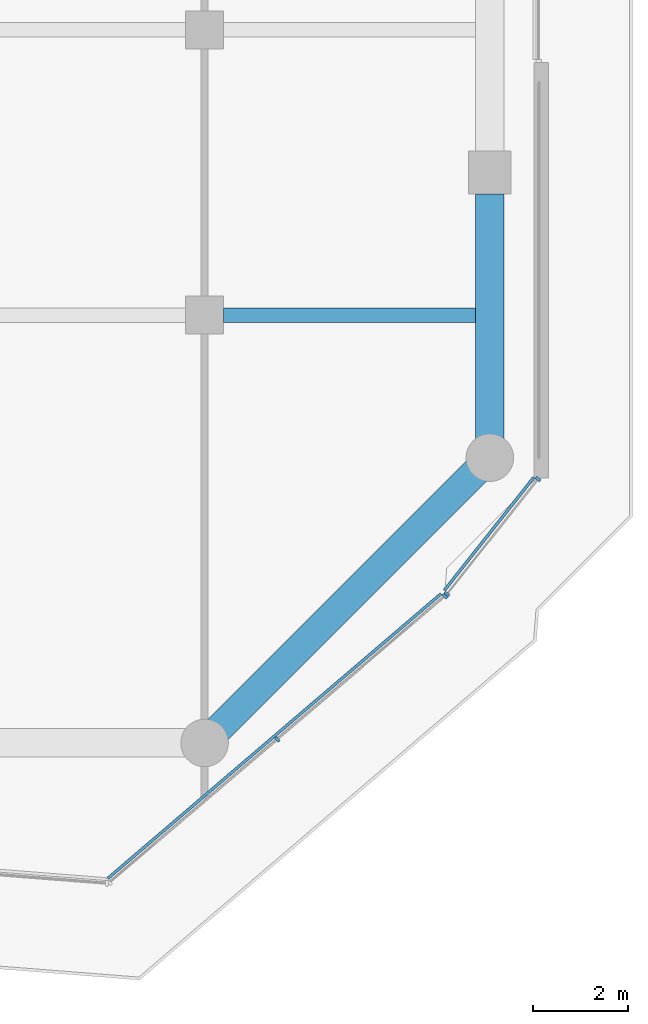
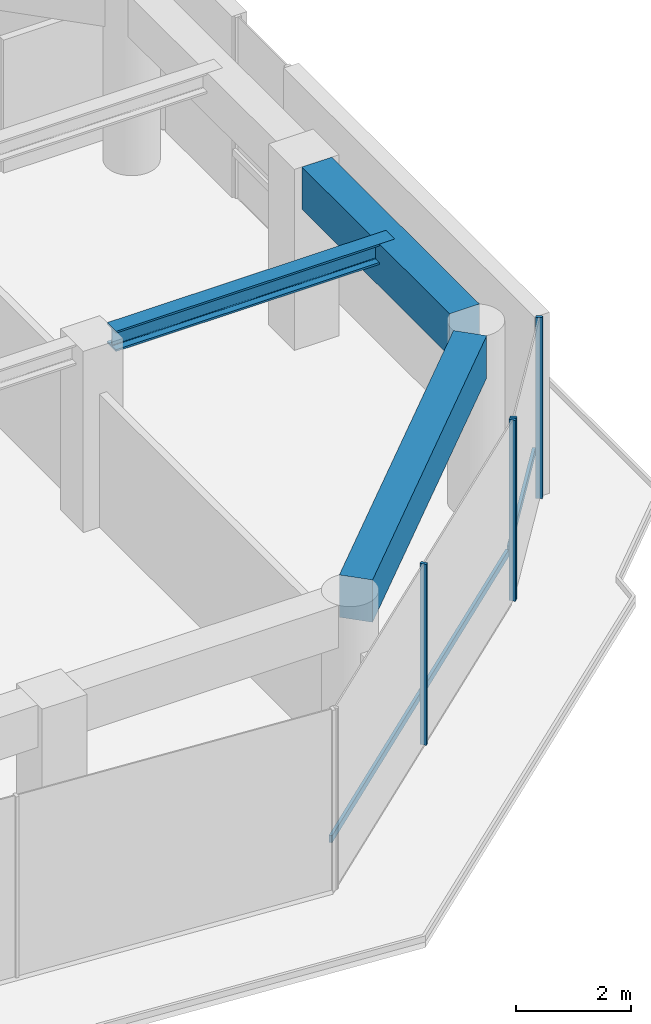
# One storey, part 7 of 24: 6 members, 3 beams, 2 elements without a shape of their own.
"""IFC4 building model written with IfcOpenShell, lengths in metres."""

from ifc_helpers import new_model, si_unit, direction, frame, origin, origin_2d, place, context, subcontext, project, spatial, rectangle, i_section, extrude, material, layer, layer_set, material_profile, profile_set, type_object, element, aggregate, save


model = new_model("IFC4")

# Units and contexts
model_context = context("Model", 3, precision=1e-05, world=origin(), true_north=direction((0.0, 1.0)))
body_context = subcontext(model_context, "Body", "Model", "MODEL_VIEW")
ifc_project = project(units=[si_unit("LENGTHUNIT", "METRE"), si_unit("AREAUNIT", "SQUARE_METRE"), si_unit("VOLUMEUNIT", "CUBIC_METRE"), si_unit("PLANEANGLEUNIT", "RADIAN"), si_unit("MASSUNIT", "GRAM", prefix="KILO")], contexts=[model_context])

# Site, building, storey
site_placement = place(None, origin())
site = spatial("IfcSite", under=ifc_project, at=site_placement, CompositionType="ELEMENT")
building_placement = place(site_placement, origin())
building = spatial("IfcBuilding", under=site, at=building_placement, Name="Welwitschia Terrace Campus", CompositionType="ELEMENT")
storey_placement = place(building_placement, frame((0.0, 0.0, 129.800048828125)))
storey = spatial("IfcBuildingStorey", under=building, at=storey_placement, Name="L29", CompositionType="ELEMENT", Elevation=129.800048828125)

# Beam
ifc_material_1 = material(Name="Steel S355", Category="steel")
ifc_material_profile_1 = material_profile(ifc_material_1, i_section(OverallWidth=0.306884765625, OverallDepth=0.431884765625, WebThickness=0.02099609375, FlangeThickness=0.0400390625, FilletRadius=0.027099609375, at=origin_2d()))
ifc_profile_set_1 = profile_set([ifc_material_profile_1], Name="Steel S355")
beam_type_1 = type_object("IfcBeamType", Name="Interior girder HE 400 M", PredefinedType="BEAM", material=ifc_profile_set_1)
beam_1_placement = place(storey_placement, frame((48.400390625, 13.0, 3.634033203125), z_axis=(1.0, 0.0, 0.0), x_axis=(0.0, 1.0, 0.0)))
element("IfcBeam", 1, at=beam_1_placement, inside=storey, type_object=beam_type_1, Name="Girder GB3", PredefinedType="BEAM", context=body_context, shape_type="SweptSolid", body=[
    extrude(i_section(OverallWidth=0.306884765625, OverallDepth=0.431884765625, WebThickness=0.02099609375, FlangeThickness=0.0400390625, FilletRadius=0.027099609375, at=origin_2d()), origin(), (0.0, 0.0, 1.0), 5.609619140625),
])

# Curtain wall, members
ifc_material_2 = material(Name="Bronze anodised aluminium", Category="aluminium")
ifc_layer = layer(ifc_material_2, 0.1201171875)
ifc_layer_set = layer_set([ifc_layer], Name="Bronze anodised aluminium")
curtain_wall_type = type_object("IfcCurtainWallType", Name="Curtain wall CW2 tower 6000", PredefinedType="NOTDEFINED", material=ifc_layer_set)
curtain_wall_1_placement = place(storey_placement, origin())
curtain_wall_1 = element("IfcCurtainWall", 2, at=curtain_wall_1_placement, inside=storey, type_object=curtain_wall_type, Name="CW L29.4.0", PredefinedType="NOTDEFINED")
ifc_material_3 = material(Name="Bronze anodised aluminium", Category="aluminium")
ifc_material_profile_2 = material_profile(ifc_material_3, rectangle(XDim=0.1201171875, YDim=0.06005859375, at=origin_2d()))
ifc_profile_set_2 = profile_set([ifc_material_profile_2], Name="Bronze anodised aluminium")
member_type_1 = type_object("IfcMemberType", Name="Mullion 60x120", PredefinedType="MULLION", material=ifc_profile_set_2)
member_1_placement = place(storey_placement, frame((49.527587890625, 4.075439453125, 0.0), z_axis=(0.0, 0.0, 1.0), x_axis=(-0.64944804833, 0.7604059656, 0.0)))
member_1 = element("IfcMember", 3, at=member_1_placement, type_object=member_type_1, Name="Mullion L29.4.0.1", PredefinedType="MULLION", context=body_context, shape_type="SweptSolid", body=[
    extrude(rectangle(XDim=0.1201171875, YDim=0.06005859375, at=origin_2d()), origin(), (0.0, 0.0, 1.0), 3.849853515625),
])
member_2_placement = place(storey_placement, frame((53.05517578125, 7.08837890625, 0.0), z_axis=(0.0, 0.0, 1.0), x_axis=(-0.64944804833, 0.7604059656, 0.0)))
member_2 = element("IfcMember", 4, at=member_2_placement, type_object=member_type_1, Name="Mullion L29.4.0.2", PredefinedType="MULLION", context=body_context, shape_type="SweptSolid", body=[
    extrude(rectangle(XDim=0.1201171875, YDim=0.06005859375, at=origin_2d()), origin(), (0.0, 0.0, 1.0), 3.849853515625),
])

curtain_wall_2_placement = place(storey_placement, origin())
curtain_wall_2 = element("IfcCurtainWall", 5, at=curtain_wall_2_placement, inside=storey, type_object=curtain_wall_type, Name="CW L29.5.0", PredefinedType="NOTDEFINED")
member_3_placement = place(storey_placement, frame((53.0966796875, 7.13134765625, 0.0), z_axis=(0.0, 0.0, 1.0), x_axis=(-0.784034731383, 0.620716956418, 0.0)))
member_3 = element("IfcMember", 6, at=member_3_placement, type_object=member_type_1, Name="Mullion L29.5.0.0", PredefinedType="MULLION", context=body_context, shape_type="SweptSolid", body=[
    extrude(rectangle(XDim=0.1201171875, YDim=0.06005859375, at=origin_2d()), origin(), (0.0, 0.0, 1.0), 3.849853515625),
])
member_4_placement = place(storey_placement, frame((55.011474609375, 9.5498046875, 0.0), z_axis=(0.0, 0.0, 1.0), x_axis=(-0.784034731383, 0.620716956418, 0.0)))
member_4 = element("IfcMember", 7, at=member_4_placement, type_object=member_type_1, Name="Mullion L29.5.0.1", PredefinedType="MULLION", context=body_context, shape_type="SweptSolid", body=[
    extrude(rectangle(XDim=0.1201171875, YDim=0.06005859375, at=origin_2d()), origin(), (0.0, 0.0, 1.0), 3.849853515625),
])

# Beams
ifc_material_4 = material(Name="Concrete C60/75", Category="concrete")
ifc_material_profile_3 = material_profile(ifc_material_4, rectangle(XDim=0.60009765625, YDim=0.89990234375, at=origin_2d()))
ifc_profile_set_3 = profile_set([ifc_material_profile_3], Name="Concrete C60/75")
beam_type_2 = type_object("IfcBeamType", Name="Ring spandrel 600x900", PredefinedType="SPANDREL", material=ifc_profile_set_3)
beam_2_placement = place(storey_placement, frame((48.283203125, 4.283203125, 3.39990234375), z_axis=(0.707106781187, 0.707106781187, 0.0), x_axis=(-0.707106781187, 0.707106781187, 0.0)))
element("IfcBeam", 8, at=beam_2_placement, inside=storey, type_object=beam_type_2, Name="Spandrel SP2", PredefinedType="SPANDREL", context=body_context, shape_type="SweptSolid", body=[
    extrude(rectangle(XDim=0.60009765625, YDim=0.89990234375, at=origin_2d()), origin(), (0.0, 0.0, 1.0), 7.684326171875),
])
beam_3_placement = place(storey_placement, frame((54.0, 10.400390625, 3.39990234375), z_axis=(0.0, 1.0, 0.0), x_axis=(-1.0, 0.0, 0.0)))
element("IfcBeam", 9, at=beam_3_placement, inside=storey, type_object=beam_type_2, Name="Spandrel SP2", PredefinedType="SPANDREL", context=body_context, shape_type="SweptSolid", body=[
    extrude(rectangle(XDim=0.60009765625, YDim=0.89990234375, at=origin_2d()), origin(), (0.0, 0.0, 1.0), 5.149169921875),
])

# Member
ifc_material_5 = material(Name="Bronze anodised aluminium", Category="aluminium")
ifc_material_profile_4 = material_profile(ifc_material_5, rectangle(XDim=0.06005859375, YDim=0.14990234375, at=origin_2d()))
ifc_profile_set_4 = profile_set([ifc_material_profile_4], Name="Bronze anodised aluminium")
member_type_2 = type_object("IfcMemberType", Name="Transom 60x150", PredefinedType="USERDEFINED", material=ifc_profile_set_4)
member_5_placement = place(storey_placement, frame((45.964111328125, 1.150390625, 1.0), z_axis=(0.760408826148, 0.649444699043, 0.0), x_axis=(-0.649444699043, 0.760408826148, 0.0)))
member_5 = element("IfcMember", 10, at=member_5_placement, type_object=member_type_2, Name="Transom L29.4.0", ObjectType="TRANSOM", PredefinedType="USERDEFINED", context=body_context, shape_type="SweptSolid", body=[
    extrude(rectangle(XDim=0.06005859375, YDim=0.14990234375, at=origin_2d()), origin(), (0.0, 0.0, 1.0), 9.21875),
])

aggregate(curtain_wall_1, [member_1, member_2, member_5])

member_6_placement = place(storey_placement, frame((53.044677734375, 7.210693359375, 1.0), z_axis=(0.620690540004, 0.784055644422, 0.0), x_axis=(-0.784055644422, 0.620690540004, 0.0)))
member_6 = element("IfcMember", 11, at=member_6_placement, type_object=member_type_2, Name="Transom L29.5.0", ObjectType="TRANSOM", PredefinedType="USERDEFINED", context=body_context, shape_type="SweptSolid", body=[
    extrude(rectangle(XDim=0.06005859375, YDim=0.14990234375, at=origin_2d()), origin(), (0.0, 0.0, 1.0), 3.024658203125),
])

aggregate(curtain_wall_2, [member_3, member_4, member_6])

save(model, "model.ifc")
